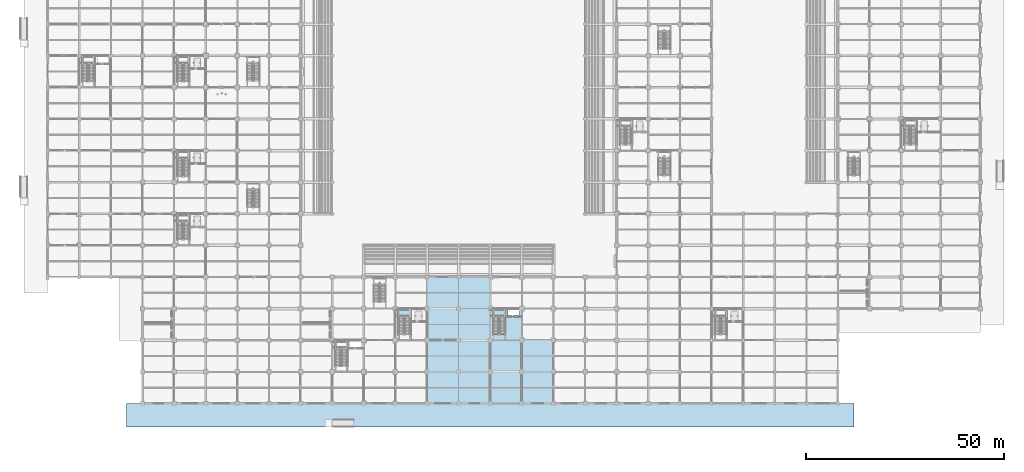
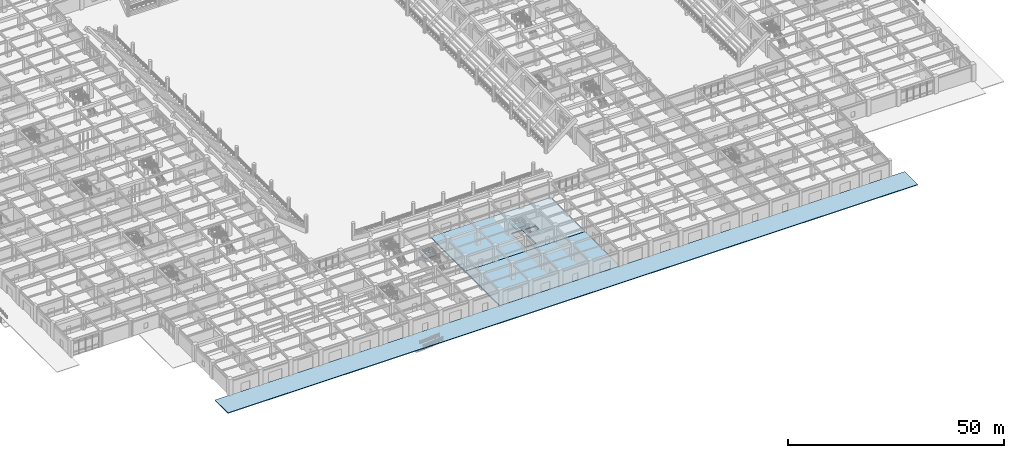
# One storey, part 58 of 125: 5 slabs, 2 elements without a shape of their own.
"""IFC4 building model written with IfcOpenShell, lengths in metres."""

from ifc_helpers import new_model, si_unit, direction, frame, origin, place, context, subcontext, project, spatial, polyline, outline, extrude, material, layer, layer_set, type_object, element, aggregate, save


model = new_model("IFC4")

# Units and contexts
model_context = context("Model", 3, precision=1e-05, world=origin(), true_north=direction((0.0, 1.0)))
body_context = subcontext(model_context, "Body", "Model", "MODEL_VIEW")
ifc_project = project(units=[si_unit("LENGTHUNIT", "METRE"), si_unit("AREAUNIT", "SQUARE_METRE"), si_unit("VOLUMEUNIT", "CUBIC_METRE"), si_unit("PLANEANGLEUNIT", "RADIAN"), si_unit("MASSUNIT", "GRAM", prefix="KILO")], contexts=[model_context])

# Site, building, storey
site_placement = place(None, origin())
site = spatial("IfcSite", under=ifc_project, at=site_placement, CompositionType="ELEMENT")
building_placement = place(site_placement, origin())
building = spatial("IfcBuilding", under=site, at=building_placement, Name="Haebicheon Civic Stadium", CompositionType="ELEMENT")
storey_placement = place(building_placement, origin())
storey = spatial("IfcBuildingStorey", under=building, at=storey_placement, Name="L01", CompositionType="ELEMENT", Elevation=0.0)

# Slabs
ifc_material_1 = material(Name="Concrete C40/50", Category="concrete")
ifc_layer_1 = layer(ifc_material_1, 0.300048828125, Name="Concrete C40/50")
ifc_layer_set_1 = layer_set([ifc_layer_1], Name="Concrete C40/50")
slab_type_1 = type_object("IfcSlabType", Name="SLB-FLR-300", PredefinedType="FLOOR", material=ifc_layer_set_1)
slab_1_placement = place(storey_placement, frame((0.0, 0.0, -0.300048828125)))
element("IfcSlab", 1, at=slab_1_placement, inside=storey, type_object=slab_type_1, material=ifc_layer_set_1, Name="L01 V2 structural slab 4.1", PredefinedType="FLOOR", context=body_context, shape_type="SweptSolid", body=[
    extrude(outline(polyline([(128.0, 16.0), (120.0, 16.0), (112.0, 16.0), (104.0, 16.0), (96.0, 16.0), (96.0, 24.0), (96.0, 32.0), (104.0, 32.0), (112.0, 32.0), (120.0, 32.0), (128.0, 32.0), (128.0, 24.0), (128.0, 16.0)]), holes=[polyline([(112.840087890625, 17.4599609375), (115.739990234375, 17.4599609375), (115.739990234375, 23.840087890625), (112.840087890625, 23.840087890625), (112.840087890625, 17.4599609375)]), polyline([(116.550048828125, 22.14990234375), (119.35009765625, 22.14990234375), (119.35009765625, 23.75), (116.550048828125, 23.75), (116.550048828125, 22.14990234375)])]), origin(), (0.0, 0.0, 1.0), 0.300048828125),
])
ifc_material_2 = material(Name="Concrete C40/50", Category="concrete")
ifc_layer_2 = layer(ifc_material_2, 0.35009765625, Name="Concrete C40/50")
ifc_layer_set_2 = layer_set([ifc_layer_2], Name="Concrete C40/50")
slab_type_2 = type_object("IfcSlabType", Name="SLB-FLR-350", PredefinedType="FLOOR", material=ifc_layer_set_2)
slab_2_placement = place(storey_placement, frame((0.0, 0.0, -0.35009765625)))
element("IfcSlab", 2, at=slab_2_placement, inside=storey, type_object=slab_type_2, material=ifc_layer_set_2, Name="L01 V6 structural slab 4.1", PredefinedType="FLOOR", context=body_context, shape_type="SweptSolid", body=[
    extrude(outline(polyline([(128.0, 0.0), (120.0, 0.0), (112.0, 0.0), (104.0, 0.0), (96.0, 0.0), (96.0, 8.0), (96.0, 16.0), (104.0, 16.0), (112.0, 16.0), (120.0, 16.0), (128.0, 16.0), (128.0, 8.0), (128.0, 0.0)])), origin(), (0.0, 0.0, 1.0), 0.35009765625),
])

# Stair, slab
ifc_material_3 = material(Name="Concrete C40/50", Category="concrete")
stair_type_1 = type_object("IfcStairType", Name="STR-DL-W128-H48", PredefinedType="HALF_TURN_STAIR", material=ifc_material_3)
stair_1_placement = place(storey_placement, origin())
stair_1 = element("IfcStair", 3, at=stair_1_placement, inside=storey, type_object=stair_type_1, material=ifc_material_3, Name="L01 Escape stair ST-06", PredefinedType="HALF_TURN_STAIR")
ifc_material_4 = material(Name="Concrete C40/50", Category="concrete")
ifc_layer_3 = layer(ifc_material_4, 0.199951171875, Name="Concrete C40/50")
ifc_layer_set_3 = layer_set([ifc_layer_3], Name="Concrete C40/50")
slab_type_3 = type_object("IfcSlabType", Name="SLB-LND-200", PredefinedType="LANDING", material=ifc_layer_set_3)
slab_3_placement = place(storey_placement, frame((0.0, 0.0, 2.199951171875)))
slab_3 = element("IfcSlab", 4, at=slab_3_placement, type_object=slab_type_3, material=ifc_layer_set_3, Name="ST-06 landing 1", PredefinedType="LANDING", context=body_context, shape_type="SweptSolid", body=[
    extrude(outline(polyline([(91.739990234375, 21.949951171875), (91.739990234375, 23.840087890625), (88.840087890625, 23.840087890625), (88.840087890625, 21.949951171875), (91.739990234375, 21.949951171875)])), origin(), (0.0, 0.0, 1.0), 0.199951171875),
])
aggregate(stair_1, [slab_3])

ifc_material_5 = material(Name="Concrete C40/50", Category="concrete")
stair_type_2 = type_object("IfcStairType", Name="STR-DL-W126-H48", PredefinedType="HALF_TURN_STAIR", material=ifc_material_5)
stair_2_placement = place(storey_placement, origin())
stair_2 = element("IfcStair", 5, at=stair_2_placement, inside=storey, type_object=stair_type_2, material=ifc_material_5, Name="L01 Escape stair ST-07", PredefinedType="HALF_TURN_STAIR")
slab_4_placement = place(storey_placement, frame((0.0, 0.0, 2.199951171875)))
slab_4 = element("IfcSlab", 6, at=slab_4_placement, type_object=slab_type_3, material=ifc_layer_set_3, Name="ST-07 landing 1", PredefinedType="LANDING", context=body_context, shape_type="SweptSolid", body=[
    extrude(outline(polyline([(115.739990234375, 21.949951171875), (115.739990234375, 23.840087890625), (112.840087890625, 23.840087890625), (112.840087890625, 21.949951171875), (115.739990234375, 21.949951171875)])), origin(), (0.0, 0.0, 1.0), 0.199951171875),
])
aggregate(stair_2, [slab_4])

# Slab
ifc_material_6 = material(Name="Precast concrete C35/45", Category="concrete")
ifc_layer_4 = layer(ifc_material_6, 0.199951171875, Name="Precast concrete C35/45")
ifc_layer_set_4 = layer_set([ifc_layer_4], Name="Precast concrete C35/45")
slab_type_4 = type_object("IfcSlabType", Name="SLB-PAV-200", PredefinedType="BASESLAB", material=ifc_layer_set_4)
slab_5_placement = place(storey_placement, frame((0.0, 0.0, -0.199951171875)))
element("IfcSlab", 7, at=slab_5_placement, inside=storey, type_object=slab_type_4, material=ifc_layer_set_4, Name="Exterior plaza paving apron APR-SOUTH-ALL", PredefinedType="BASESLAB", context=body_context, shape_type="SweptSolid", body=[
    extrude(outline(polyline([(204.0, 0.0), (204.0, -6.0), (20.0, -6.0), (20.0, 0.0), (23.9951171875, 0.0), (23.9951171875, -0.0048828125), (200.0048828125, -0.0048828125), (200.0048828125, 0.0), (204.0, 0.0)])), origin(), (0.0, 0.0, 1.0), 0.199951171875),
])

save(model, "model.ifc")
